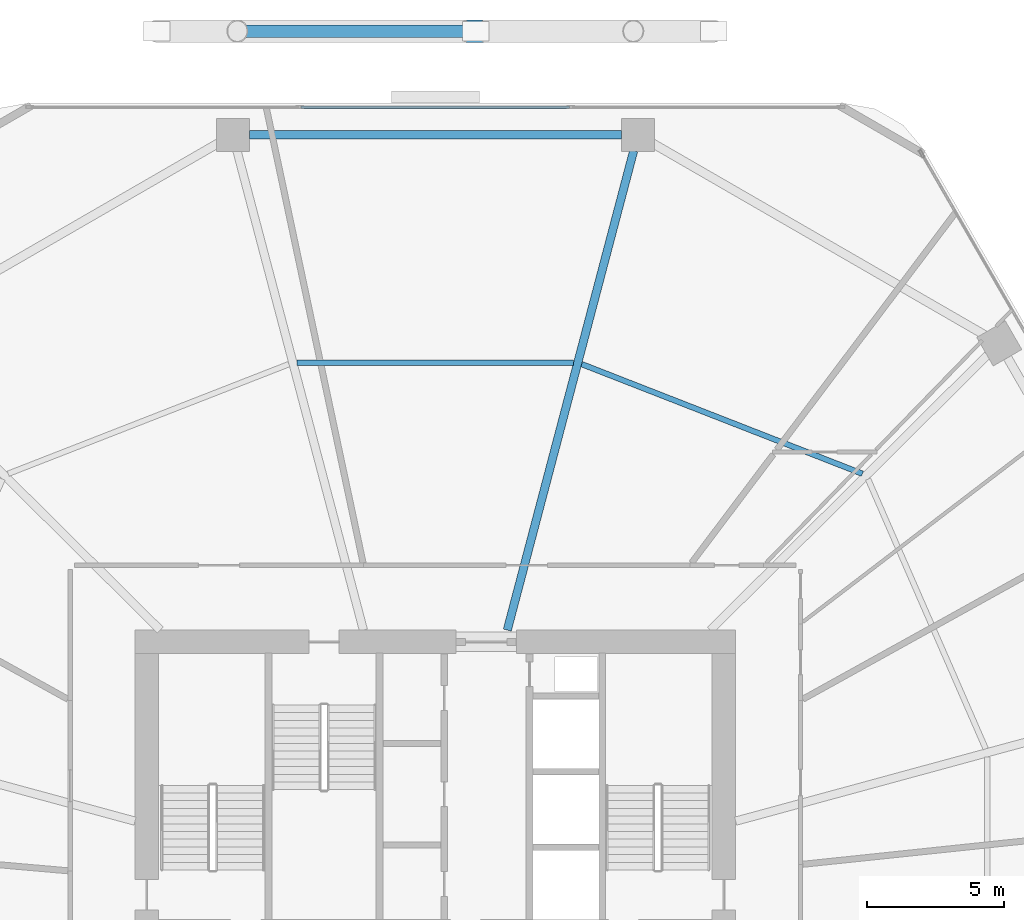
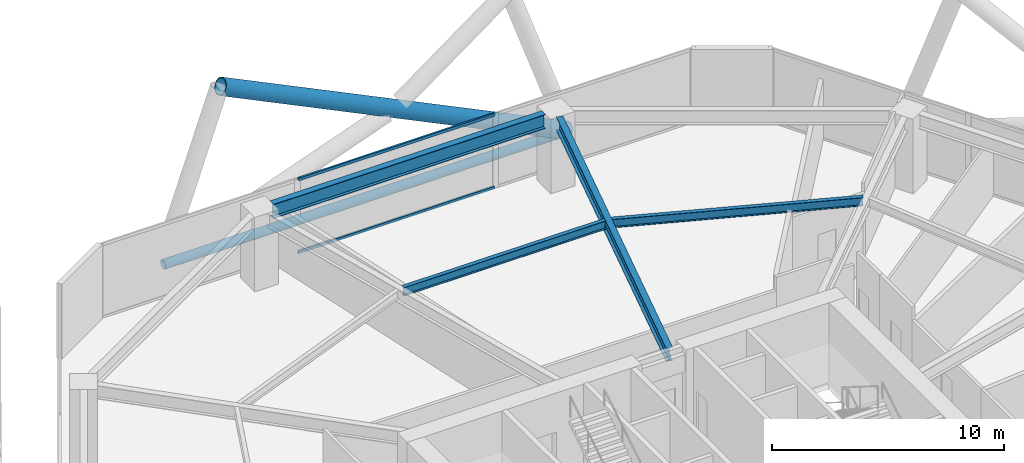
# One storey, part 20 of 30: 4 beams, 4 members, 1 element without a shape of its own.
"""IFC4 building model written with IfcOpenShell, lengths in metres."""

from ifc_helpers import new_model, si_unit, direction, frame, origin, origin_2d, place, context, subcontext, project, spatial, hollow_rectangle, hollow_circle, i_section, extrude, material, material_profile, profile_set, type_object, element, aggregate, save


model = new_model("IFC4")

# Units and contexts
model_context = context("Model", 3, precision=1e-05, world=origin(), true_north=direction((0.0, 1.0)))
body_context = subcontext(model_context, "Body", "Model", "MODEL_VIEW")
ifc_project = project(units=[si_unit("LENGTHUNIT", "METRE"), si_unit("AREAUNIT", "SQUARE_METRE"), si_unit("VOLUMEUNIT", "CUBIC_METRE"), si_unit("PLANEANGLEUNIT", "RADIAN"), si_unit("MASSUNIT", "GRAM", prefix="KILO")], contexts=[model_context])

# Site, building, storey
site_placement = place(None, origin())
site = spatial("IfcSite", under=ifc_project, at=site_placement, CompositionType="ELEMENT")
building_placement = place(site_placement, origin())
building = spatial("IfcBuilding", under=site, at=building_placement, Name="Zuhravey Tower", CompositionType="ELEMENT")
storey_placement = place(building_placement, frame((0.0, 0.0, 58.199951171875)))
storey = spatial("IfcBuildingStorey", under=building, at=storey_placement, Name="L14", CompositionType="ELEMENT", Elevation=58.199951171875)

# Curtain wall, members
ifc_material_1 = material(Name="Thermally broken anodised aluminium", Category="aluminium")
curtain_wall_type = type_object("IfcCurtainWallType", Name="School Low-E Unitised Curtain Wall CW1", PredefinedType="NOTDEFINED", material=ifc_material_1)
curtain_wall_placement = place(storey_placement, origin())
curtain_wall = element("IfcCurtainWall", 1, at=curtain_wall_placement, inside=storey, type_object=curtain_wall_type, Name="L14 CW1 CW-L14-F2-1", PredefinedType="NOTDEFINED")
ifc_material_2 = material(Name="Anodised aluminium", Category="aluminium")
ifc_material_profile_1 = material_profile(ifc_material_2, hollow_rectangle(XDim=0.090087890625, YDim=0.14990234375, WallThickness=0.0048828125, at=origin_2d()), Name="ALU-RHS-90x150x5")
ifc_profile_set_1 = profile_set([ifc_material_profile_1], Name="Anodised aluminium")
member_type_1 = type_object("IfcMemberType", Name="Curtain-Wall Transom 90x150", PredefinedType="USERDEFINED", material=ifc_profile_set_1)
member_1_placement = place(storey_placement, frame((31.11181640625, 60.95849609375, 0.045166015625), z_axis=(1.0, 0.0, 0.0), x_axis=(0.0, 1.0, 0.0)))
member_1 = element("IfcMember", 2, at=member_1_placement, type_object=member_type_1, Name="CW1 transom 2.1", ObjectType="TRANSOM", PredefinedType="USERDEFINED", context=body_context, shape_type="SweptSolid", body=[
    extrude(hollow_rectangle(XDim=0.090087890625, YDim=0.14990234375, WallThickness=0.0048828125, at=origin_2d()), origin(), (0.0, 0.0, 1.0), 9.7763671875),
])
member_2_placement = place(storey_placement, frame((31.11181640625, 60.95849609375, 3.875), z_axis=(1.0, 0.0, 0.0), x_axis=(0.0, 1.0, 0.0)))
member_2 = element("IfcMember", 3, at=member_2_placement, type_object=member_type_1, Name="CW1 transom 2.2", ObjectType="TRANSOM", PredefinedType="USERDEFINED", context=body_context, shape_type="SweptSolid", body=[
    extrude(hollow_rectangle(XDim=0.090087890625, YDim=0.14990234375, WallThickness=0.0048828125, at=origin_2d()), origin(), (0.0, 0.0, 1.0), 9.7763671875),
])
aggregate(curtain_wall, [member_1, member_2])

# Members
ifc_material_3 = material(Name="Steel SM355", Category="steel")
ifc_material_profile_2 = material_profile(ifc_material_3, hollow_circle(Radius=0.228515625, WallThickness=0.02197265625, at=origin_2d()), Name="CHS-457.2x22")
ifc_profile_set_2 = profile_set([ifc_material_profile_2], Name="Steel SM355")
member_type_2 = type_object("IfcMemberType", Name="Exoskeleton Ring Tie CHS457x22", PredefinedType="CHORD", material=ifc_profile_set_2)
member_3_placement = place(storey_placement, frame((45.996826171875, 63.718505859375, -0.493896484375), z_axis=(-1.0, 0.0, 0.0), x_axis=(0.0, -1.0, 0.0)))
element("IfcMember", 4, at=member_3_placement, inside=storey, type_object=member_type_2, Name="L14 Exoskeleton Face 2 Tie EXR1", PredefinedType="CHORD", context=body_context, shape_type="SweptSolid", body=[
    extrude(hollow_circle(Radius=0.228515625, WallThickness=0.02197265625, at=origin_2d()), origin(), (0.0, 0.0, 1.0), 19.99365234375),
])
ifc_material_4 = material(Name="Steel SM460", Category="steel")
ifc_material_profile_3 = material_profile(ifc_material_4, hollow_circle(Radius=0.406494140625, WallThickness=0.035888671875, at=origin_2d()), Name="CHS-812.8x36")
ifc_profile_set_3 = profile_set([ifc_material_profile_3], Name="Steel SM460")
member_type_3 = type_object("IfcMemberType", Name="Exoskeleton Zone 1 Diagrid CHS813x36", PredefinedType="BRACE", material=ifc_profile_set_3)
member_4_placement = place(storey_placement, frame((46.09130859375, 63.718505859375, -0.471923828125), z_axis=(-0.899869583891, 0.0, 0.436159067299), x_axis=(0.0, -1.0, 0.0)))
element("IfcMember", 5, at=member_4_placement, inside=storey, type_object=member_type_3, Name="L14 Face 2 Diagrid Brace 2", PredefinedType="BRACE", context=body_context, shape_type="SweptSolid", body=[
    extrude(hollow_circle(Radius=0.406494140625, WallThickness=0.035888671875, at=origin_2d()), origin(), (0.0, 0.0, 1.0), 19.157958984375),
])

# Beams
ifc_material_profile_4 = material_profile(ifc_material_3, i_section(OverallWidth=0.320068359375, OverallDepth=0.75, WebThickness=0.013916015625, FlangeThickness=0.02490234375, at=origin_2d()), Name="H-750x320x14x25")
ifc_profile_set_4 = profile_set([ifc_material_profile_4], Name="Steel SM355")
beam_type_1 = type_object("IfcBeamType", Name="Perimeter Ring Beam H750x320", PredefinedType="BEAM", material=ifc_profile_set_4)
beam_1_placement = place(storey_placement, frame((42.76708984375, 59.948486328125, 3.545166015625), z_axis=(-1.0, 0.0, 0.0), x_axis=(0.0, -1.0, 0.0)))
element("IfcBeam", 6, at=beam_1_placement, inside=storey, type_object=beam_type_1, Name="L14 PB1 BM-L14-PB-03", PredefinedType="BEAM", context=body_context, shape_type="SweptSolid", body=[
    extrude(i_section(OverallWidth=0.320068359375, OverallDepth=0.75, WebThickness=0.013916015625, FlangeThickness=0.02490234375, at=origin_2d()), origin(), (0.0, 0.0, 1.0), 13.5341796875),
])
ifc_material_profile_5 = material_profile(ifc_material_3, i_section(OverallWidth=0.300048828125, OverallDepth=0.699951171875, WebThickness=0.012939453125, FlangeThickness=0.02392578125, at=origin_2d()), Name="H-700x300x13x24")
ifc_profile_set_5 = profile_set([ifc_material_profile_5], Name="Steel SM355")
beam_type_2 = type_object("IfcBeamType", Name="Radial Primary Girder H700x300", PredefinedType="BEAM", material=ifc_profile_set_5)
beam_2_placement = place(storey_placement, frame((38.617919921875, 41.927978515625, 3.570068359375), z_axis=(0.254989720435, 0.966943763862, 0.0), x_axis=(-0.966943763862, 0.254989720435, 0.0)))
element("IfcBeam", 7, at=beam_2_placement, inside=storey, type_object=beam_type_2, Name="L14 RG1 BM-L14-RAD-03", PredefinedType="BEAM", context=body_context, shape_type="SweptSolid", body=[
    extrude(i_section(OverallWidth=0.300048828125, OverallDepth=0.699951171875, WebThickness=0.012939453125, FlangeThickness=0.02392578125, at=origin_2d()), origin(), (0.0, 0.0, 1.0), 18.03369140625),
])
ifc_material_profile_6 = material_profile(ifc_material_3, i_section(OverallWidth=0.199951171875, OverallDepth=0.449951171875, WebThickness=0.009033203125, FlangeThickness=0.013916015625, at=origin_2d()), Name="H-450x200x9x14")
ifc_profile_set_6 = profile_set([ifc_material_profile_6], Name="Steel SM355")
beam_type_3 = type_object("IfcBeamType", Name="Secondary Floor Joist H450x200", PredefinedType="JOIST", material=ifc_profile_set_6)
beam_3_placement = place(storey_placement, frame((51.5400390625, 47.61572265625, 3.695068359375), z_axis=(-0.931516535886, 0.363698973562, 0.0), x_axis=(-0.363698973562, -0.931516535886, 0.0)))
element("IfcBeam", 8, at=beam_3_placement, inside=storey, type_object=beam_type_3, Name="L14 SJ1 BM-L14-SJ-02-1", PredefinedType="JOIST", context=body_context, shape_type="SweptSolid", body=[
    extrude(i_section(OverallWidth=0.199951171875, OverallDepth=0.449951171875, WebThickness=0.009033203125, FlangeThickness=0.013916015625, at=origin_2d()), origin(), (0.0, 0.0, 1.0), 10.963134765625),
])
beam_4_placement = place(storey_placement, frame((41.030029296875, 51.6591796875, 3.695068359375), z_axis=(-1.0, 0.0, 0.0), x_axis=(0.0, -1.0, 0.0)))
element("IfcBeam", 9, at=beam_4_placement, inside=storey, type_object=beam_type_3, Name="L14 SJ1 BM-L14-SJ-03-1", PredefinedType="JOIST", context=body_context, shape_type="SweptSolid", body=[
    extrude(i_section(OverallWidth=0.199951171875, OverallDepth=0.449951171875, WebThickness=0.009033203125, FlangeThickness=0.013916015625, at=origin_2d()), origin(), (0.0, 0.0, 1.0), 10.06005859375),
])

save(model, "model.ifc")
